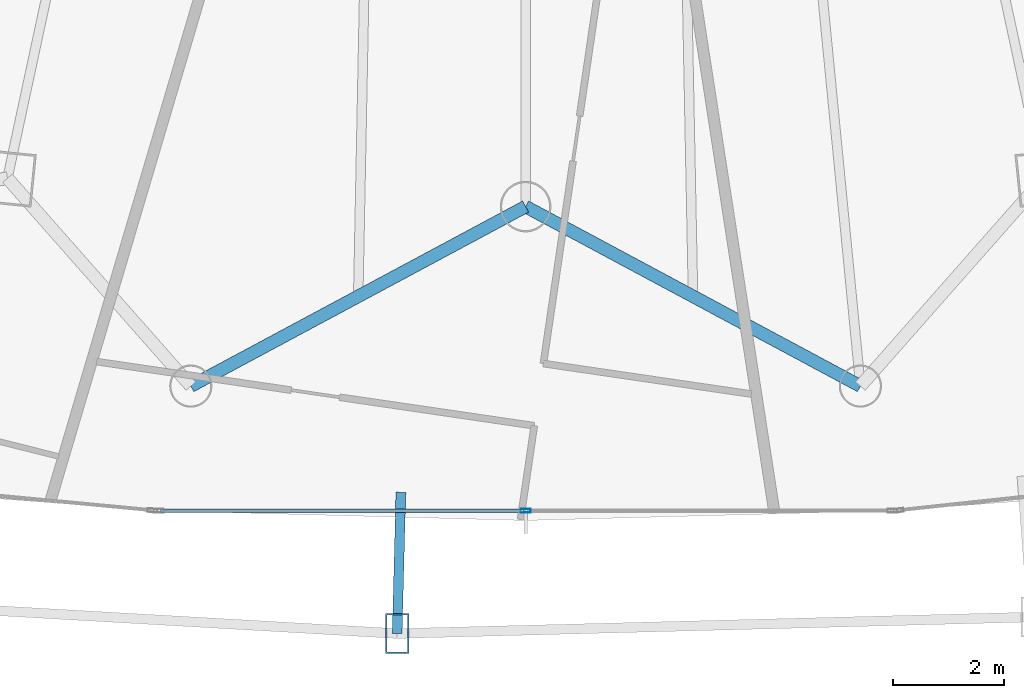
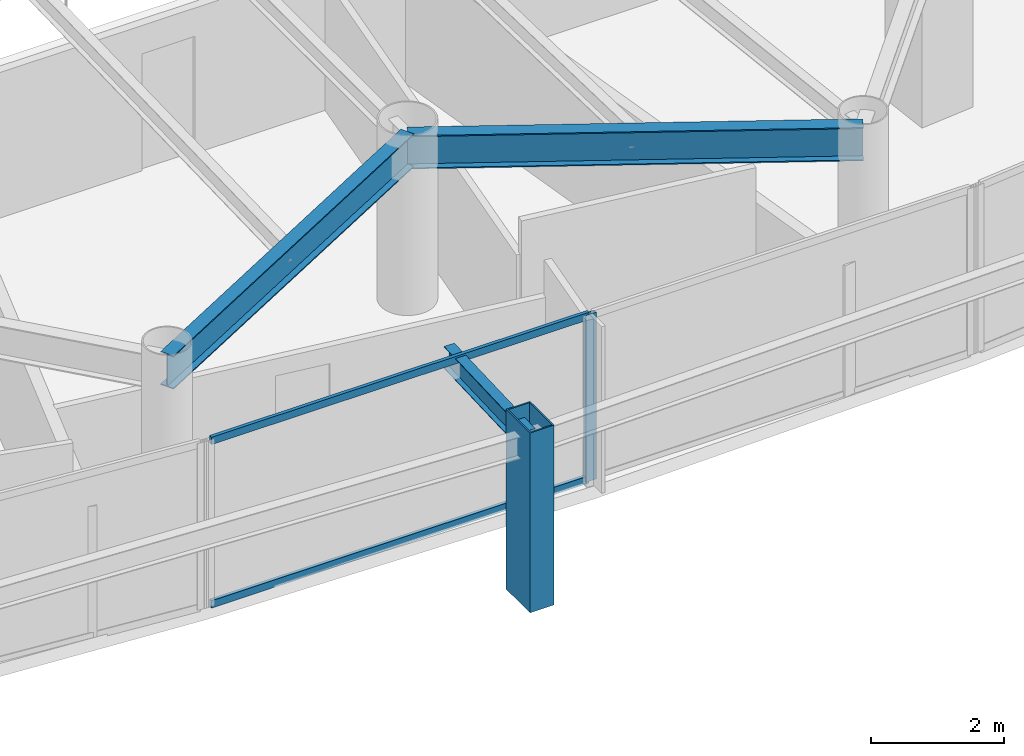
# One storey, part 7 of 35: 4 members, 3 beams, 1 element without a shape of its own.
"""IFC4 building model written with IfcOpenShell, lengths in metres."""

from ifc_helpers import new_model, si_unit, direction, frame, origin, origin_2d, place, context, subcontext, project, spatial, hollow_rectangle, i_section, extrude, material, layer, layer_set, material_profile, profile_set, type_object, element, aggregate, save


model = new_model("IFC4")

# Units and contexts
model_context = context("Model", 3, precision=1e-05, world=origin(), true_north=direction((0.0, 1.0)))
body_context = subcontext(model_context, "Body", "Model", "MODEL_VIEW")
ifc_project = project(units=[si_unit("LENGTHUNIT", "METRE"), si_unit("AREAUNIT", "SQUARE_METRE"), si_unit("VOLUMEUNIT", "CUBIC_METRE"), si_unit("PLANEANGLEUNIT", "RADIAN"), si_unit("MASSUNIT", "GRAM", prefix="KILO")], contexts=[model_context])

# Site, building, storey
site_placement = place(None, origin())
site = spatial("IfcSite", under=ifc_project, at=site_placement, CompositionType="ELEMENT")
building_placement = place(site_placement, origin())
building = spatial("IfcBuilding", under=site, at=building_placement, Name="Orvanel Arch Residences", CompositionType="ELEMENT")
storey_placement = place(building_placement, frame((0.0, 0.0, 36.800048828125)))
storey = spatial("IfcBuildingStorey", under=building, at=storey_placement, Name="L09", CompositionType="ELEMENT", Elevation=36.800048828125)

# Member
ifc_material_1 = material(Name="Structural steel AS/NZS 3678 Grade 350", Category="steel")
ifc_material_profile_1 = material_profile(ifc_material_1, hollow_rectangle(XDim=0.419921875, YDim=0.719970703125, WallThickness=0.02490234375, at=origin_2d()), Name="RHS720x420x25")
ifc_profile_set_1 = profile_set([ifc_material_profile_1], Name="Structural steel AS/NZS 3678 Grade 350")
member_type_1 = type_object("IfcMemberType", Name="CH-720RHS-EXT", PredefinedType="CHORD", material=ifc_profile_set_1)
member_1_placement = place(storey_placement, frame((30.681884765625, -0.861083984375, 0.0), z_axis=(0.0, 0.0, 1.0), x_axis=(1.0, 0.0, 0.0)))
element("IfcMember", 1, at=member_1_placement, inside=storey, type_object=member_type_1, Name="L09 Outer Perimeter Frame Post 06", PredefinedType="CHORD", context=body_context, shape_type="SweptSolid", body=[
    extrude(hollow_rectangle(XDim=0.419921875, YDim=0.719970703125, WallThickness=0.02490234375, at=origin_2d()), origin(), (0.0, 0.0, 1.0), 3.300048828125),
])

# Curtain wall, member
ifc_material_2 = material(Name="Bronze-anodised aluminium AA6063-T6", Category="aluminium")
ifc_layer = layer(ifc_material_2, 0.179931640625)
ifc_layer_set = layer_set([ifc_layer], Name="Bronze-anodised aluminium AA6063-T6")
curtain_wall_type = type_object("IfcCurtainWallType", Name="CW2-LOW-SYS", PredefinedType="NOTDEFINED", material=ifc_layer_set)
curtain_wall_placement = place(storey_placement, origin())
curtain_wall = element("IfcCurtainWall", 2, at=curtain_wall_placement, inside=storey, type_object=curtain_wall_type, Name="L09 CW2-LOW-SYS Unitised Curtain Wall", PredefinedType="NOTDEFINED")
ifc_material_profile_2 = material_profile(ifc_material_2, hollow_rectangle(XDim=0.070068359375, YDim=0.179931640625, WallThickness=0.00439453125, at=origin_2d()), Name="ALU180x70x4.5")
ifc_profile_set_2 = profile_set([ifc_material_profile_2], Name="Bronze-anodised aluminium AA6063-T6")
member_type_2 = type_object("IfcMemberType", Name="MUL-180x70", PredefinedType="MULLION", material=ifc_profile_set_2)
member_2_placement = place(storey_placement, frame((33.0, 1.35595703125, 0.0), z_axis=(0.0, 0.0, 1.0), x_axis=(0.0, 1.0, 0.0)))
member_2 = element("IfcMember", 3, at=member_2_placement, type_object=member_type_2, Name="CW-S2 mullion 2", PredefinedType="MULLION", context=body_context, shape_type="SweptSolid", body=[
    extrude(hollow_rectangle(XDim=0.070068359375, YDim=0.179931640625, WallThickness=0.00439453125, at=origin_2d()), origin(), (0.0, 0.0, 1.0), 3.06005859375),
])

# Beams
ifc_material_3 = material(Name="Structural steel AS/NZS 3679.1 Grade 300 (300 MPa)", Category="steel")
ifc_material_profile_3 = material_profile(ifc_material_3, i_section(OverallWidth=0.177978515625, OverallDepth=0.406005859375, WebThickness=0.0078125, FlangeThickness=0.0126953125, at=origin_2d()), Name="410UB59.7")
ifc_profile_set_3 = profile_set([ifc_material_profile_3], Name="Structural steel AS/NZS 3679.1 Grade 300 (300 MPa)")
beam_type_1 = type_object("IfcBeamType", Name="OB-410UB-EXT", PredefinedType="SPANDREL", material=ifc_profile_set_3)
beam_placement = place(storey_placement, frame((30.7490234375, 1.68798828125, 2.85693359375), z_axis=(-0.026329342377, -0.999653322772, 0.0), x_axis=(0.999653322772, -0.026329342377, 0.0)))
element("IfcBeam", 4, at=beam_placement, inside=storey, type_object=beam_type_1, Name="L09 Outer Frame Radial Tie Beam 06", PredefinedType="SPANDREL", context=body_context, shape_type="SweptSolid", body=[
    extrude(i_section(OverallWidth=0.177978515625, OverallDepth=0.406005859375, WebThickness=0.0078125, FlangeThickness=0.0126953125, at=origin_2d()), origin(), (0.0, 0.0, 1.0), 2.550048828125),
])
ifc_material_profile_4 = material_profile(ifc_material_3, i_section(OverallWidth=0.22900390625, OverallDepth=0.612060546875, WebThickness=0.011962890625, FlangeThickness=0.01953125, at=origin_2d()), Name="610UB125")
ifc_profile_set_4 = profile_set([ifc_material_profile_4], Name="Structural steel AS/NZS 3679.1 Grade 300 (300 MPa)")
beam_type_2 = type_object("IfcBeamType", Name="SP-610UB", PredefinedType="SPANDREL", material=ifc_profile_set_4)
for number, where, z_axis, x_axis, name in (
    (5, (26.9580078125, 3.60498046875, 2.75390625), (0.881344400551, 0.472474388319, 0.0), (-0.472474388319, 0.881344400551, 0.0), "L09 Perimeter Spandrel Beam 06"),
    (6, (33.0, 6.843994140625, 2.75390625), (0.881344400551, -0.472474388319, 0.0), (0.472474388319, 0.881344400551, 0.0), "L09 Perimeter Spandrel Beam 07"),
):
    element("IfcBeam", number, at=place(storey_placement, frame(where, z_axis=z_axis, x_axis=x_axis)), inside=storey, type_object=beam_type_2, Name=name, PredefinedType="SPANDREL", context=body_context, shape_type="SweptSolid", body=[
        extrude(i_section(OverallWidth=0.22900390625, OverallDepth=0.612060546875, WebThickness=0.011962890625, FlangeThickness=0.01953125, at=origin_2d()), origin(), (0.0, 0.0, 1.0), 6.85546875),
    ])

# Member
ifc_material_profile_5 = material_profile(ifc_material_2, hollow_rectangle(XDim=0.06005859375, YDim=0.135009765625, WallThickness=0.00390625, at=origin_2d()), Name="ALU135x60x4")
ifc_profile_set_5 = profile_set([ifc_material_profile_5], Name="Bronze-anodised aluminium AA6063-T6")
member_type_3 = type_object("IfcMemberType", Name="TRN-135x60", PredefinedType="USERDEFINED", material=ifc_profile_set_5)
member_3_placement = place(storey_placement, frame((26.412109375, 1.35595703125, 0.030029296875), z_axis=(1.0, 0.0, 0.0), x_axis=(0.0, 1.0, 0.0)))
member_3 = element("IfcMember", 7, at=member_3_placement, type_object=member_type_3, Name="CW-S2 transom 1.1", ObjectType="TRANSOM", PredefinedType="USERDEFINED", context=body_context, shape_type="SweptSolid", body=[
    extrude(hollow_rectangle(XDim=0.06005859375, YDim=0.135009765625, WallThickness=0.00390625, at=origin_2d()), origin(), (0.0, 0.0, 1.0), 6.552978515625),
])

member_4_placement = place(storey_placement, frame((26.412109375, 1.35595703125, 3.030029296875), z_axis=(1.0, 0.0, 0.0), x_axis=(0.0, 1.0, 0.0)))
member_4 = element("IfcMember", 8, at=member_4_placement, type_object=member_type_3, Name="CW-S2 transom 1.2", ObjectType="TRANSOM", PredefinedType="USERDEFINED", context=body_context, shape_type="SweptSolid", body=[
    extrude(hollow_rectangle(XDim=0.06005859375, YDim=0.135009765625, WallThickness=0.00390625, at=origin_2d()), origin(), (0.0, 0.0, 1.0), 6.552978515625),
])

aggregate(curtain_wall, [member_2, member_3, member_4])

save(model, "model.ifc")
